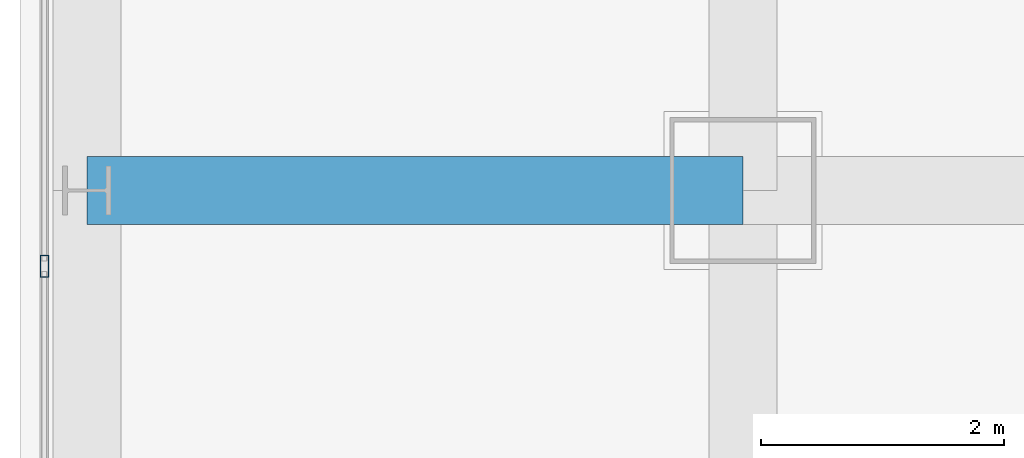
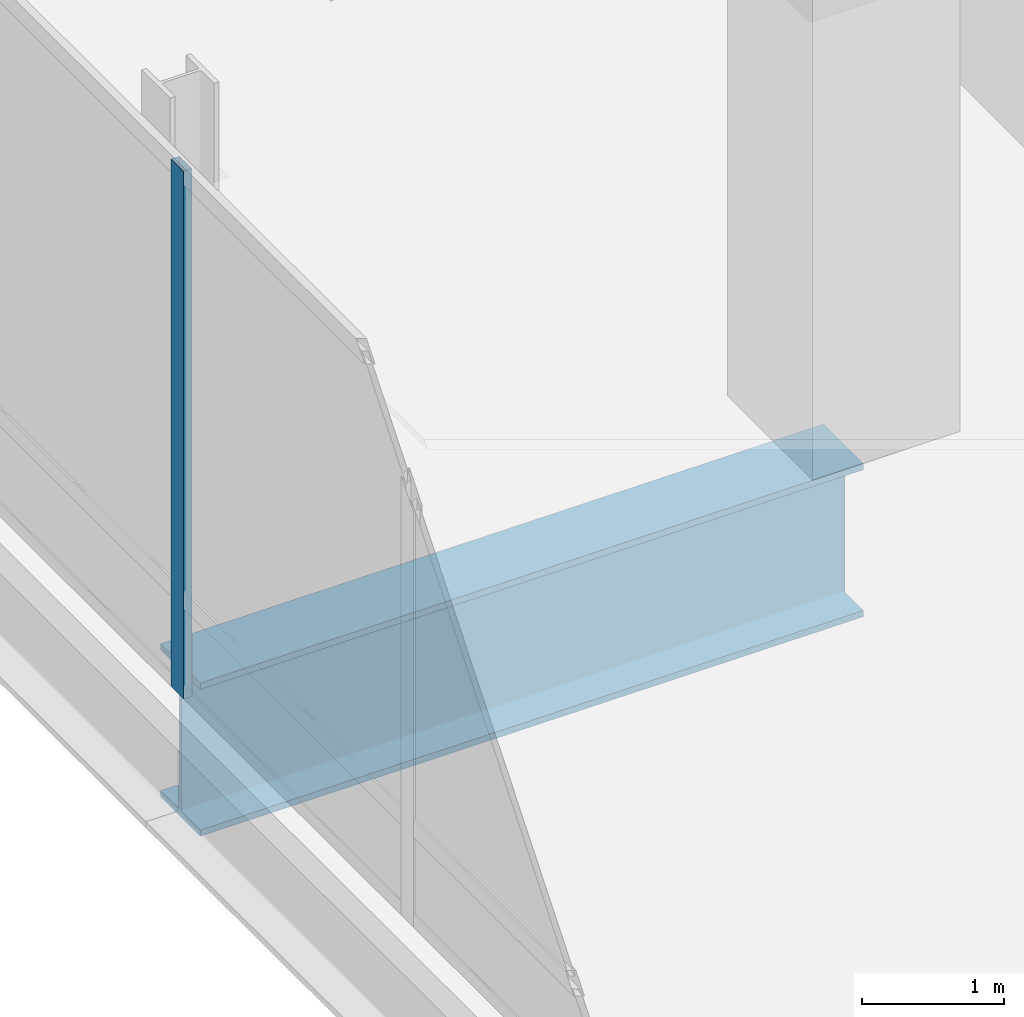
# One storey, part 10 of 44: 1 beam, 1 member, 1 element without a shape of its own.
"""IFC4 building model written with IfcOpenShell, lengths in metres."""

from ifc_helpers import new_model, si_unit, direction, frame, origin, origin_2d, place, context, subcontext, project, spatial, hollow_rectangle, i_section, extrude, material, material_profile, profile_set, type_object, element, aggregate, save


model = new_model("IFC4")

# Units and contexts
model_context = context("Model", 3, precision=1e-05, world=origin(), true_north=direction((0.0, 1.0)))
body_context = subcontext(model_context, "Body", "Model", "MODEL_VIEW")
ifc_project = project(units=[si_unit("LENGTHUNIT", "METRE"), si_unit("AREAUNIT", "SQUARE_METRE"), si_unit("VOLUMEUNIT", "CUBIC_METRE"), si_unit("PLANEANGLEUNIT", "RADIAN"), si_unit("MASSUNIT", "GRAM", prefix="KILO")], contexts=[model_context])

# Site, building, storey
site_placement = place(None, origin())
site = spatial("IfcSite", under=ifc_project, at=site_placement, CompositionType="ELEMENT")
building_placement = place(site_placement, origin())
building = spatial("IfcBuilding", under=site, at=building_placement, Name="Punatoya Terracotta Tower", CompositionType="ELEMENT")
storey_placement = place(building_placement, frame((0.0, 0.0, 334.199951171875)))
storey = spatial("IfcBuildingStorey", under=building, at=storey_placement, Name="L79", CompositionType="ELEMENT", Elevation=334.199951171875)

# Beam
ifc_material_1 = material(Name="Steel S460", Category="steel")
ifc_material_profile_1 = material_profile(ifc_material_1, i_section(OverallWidth=0.56005859375, OverallDepth=1.320068359375, WebThickness=0.035888671875, FlangeThickness=0.054931640625, FilletRadius=0.01806640625, at=origin_2d()))
ifc_profile_set_1 = profile_set([ifc_material_profile_1], Name="Steel S460")
beam_type = type_object("IfcBeamType", Name="BM-TG-BLK", PredefinedType="BEAM", material=ifc_profile_set_1)
beam_placement = place(storey_placement, frame((-24.5, -3.39990234375, -0.919921875), z_axis=(1.0, 0.0, 0.0), x_axis=(0.0, 1.0, 0.0)))
element("IfcBeam", 1, at=beam_placement, inside=storey, type_object=beam_type, Name="BM-L79-CANT-W2", PredefinedType="BEAM", context=body_context, shape_type="SweptSolid", body=[
    extrude(i_section(OverallWidth=0.56005859375, OverallDepth=1.320068359375, WebThickness=0.035888671875, FlangeThickness=0.054931640625, FilletRadius=0.01806640625, at=origin_2d()), origin(), (0.0, 0.0, 1.0), 5.39990234375),
])

# Curtain wall, member
ifc_material_2 = material(Name="Aluminium 6063-T6 + Double Low-E Glass", Category="aluminium")
curtain_wall_type = type_object("IfcCurtainWallType", Name="CW-OBS", PredefinedType="NOTDEFINED", material=ifc_material_2)
curtain_wall_placement = place(storey_placement, origin())
curtain_wall = element("IfcCurtainWall", 2, at=curtain_wall_placement, inside=storey, type_object=curtain_wall_type, Name="L79 Curtain Wall CW-L79-W18-1", PredefinedType="NOTDEFINED")
ifc_material_3 = material(Name="Aluminium 6063-T6", Category="aluminium")
ifc_material_profile_2 = material_profile(ifc_material_3, hollow_rectangle(XDim=0.070068359375, YDim=0.179931640625, WallThickness=0.00390625, at=origin_2d()))
ifc_profile_set_2 = profile_set([ifc_material_profile_2], Name="Aluminium 6063-T6")
member_type = type_object("IfcMemberType", Name="CW-MUL-M3", PredefinedType="MULLION", material=ifc_profile_set_2)
member_placement = place(storey_placement, frame((-24.85009765625, -4.021484375, 0.0), z_axis=(0.0, 0.0, 1.0), x_axis=(1.0, 0.0, 0.0)))
member = element("IfcMember", 3, at=member_placement, type_object=member_type, Name="CW-L79-W18-1 Mullion 06", PredefinedType="MULLION", context=body_context, shape_type="SweptSolid", body=[
    extrude(hollow_rectangle(XDim=0.070068359375, YDim=0.179931640625, WallThickness=0.00390625, at=origin_2d()), origin(), (0.0, 0.0, 1.0), 4.5400390625),
])
aggregate(curtain_wall, [member])

save(model, "model.ifc")
